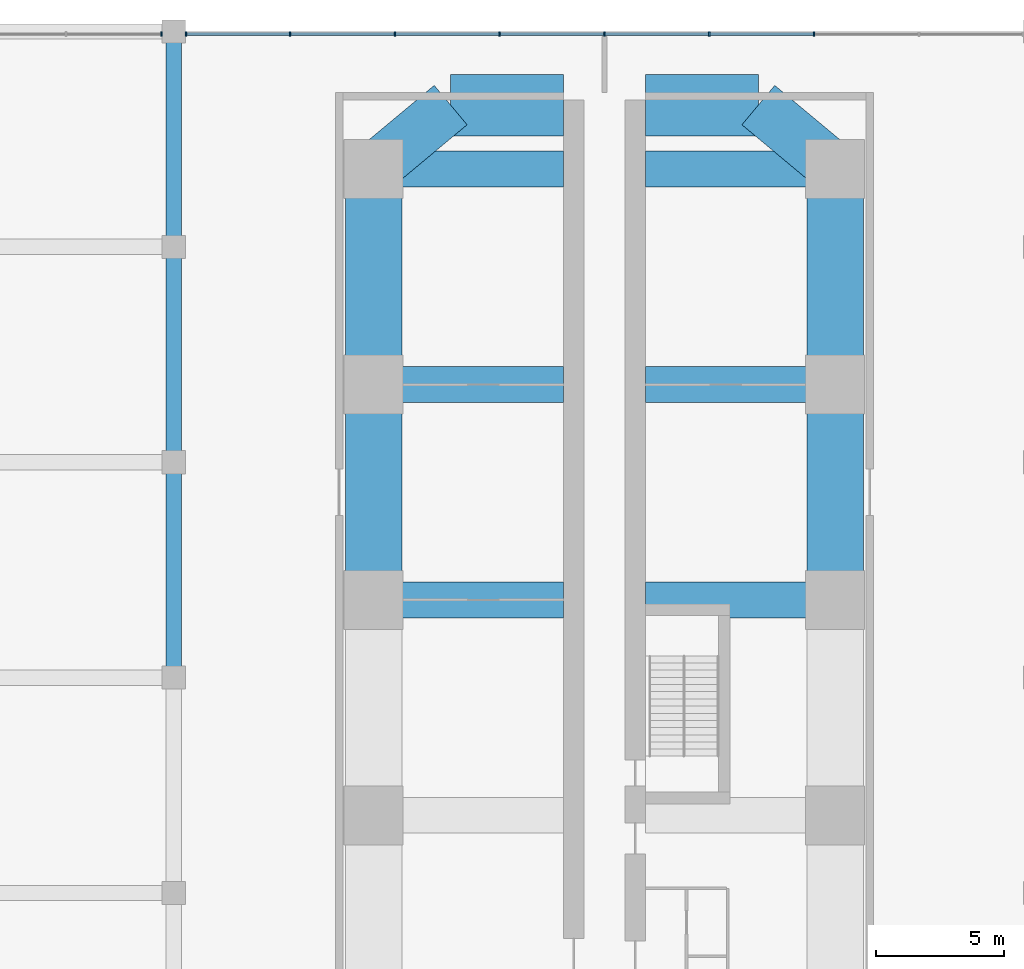
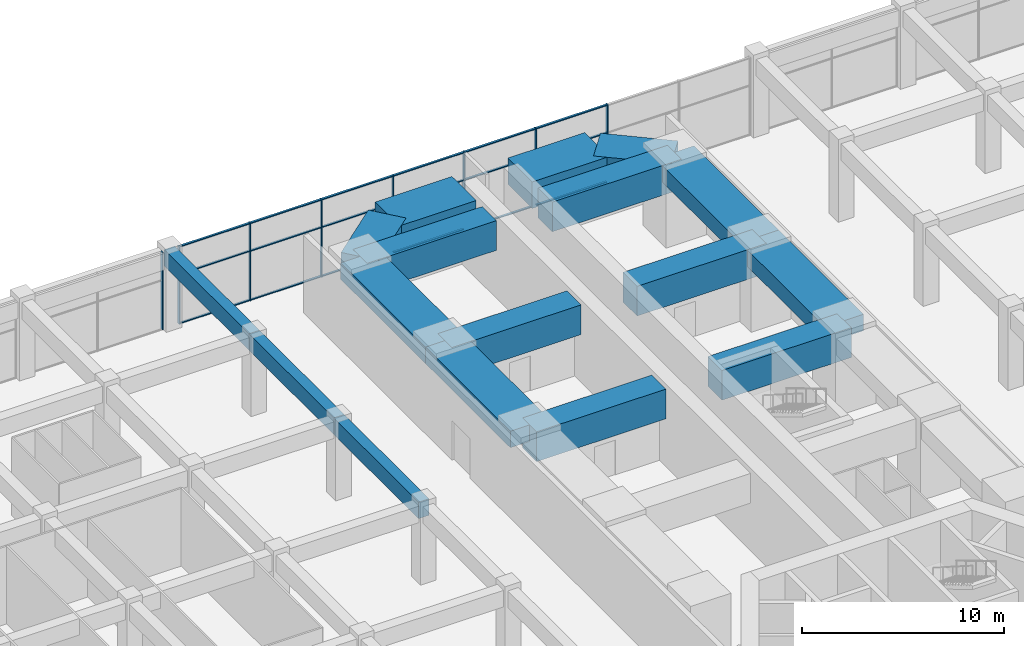
# One storey, part 19 of 36: 26 members, 17 beams, 2 elements without a shape of their own.
"""IFC4 building model written with IfcOpenShell, lengths in metres."""

from ifc_helpers import new_model, si_unit, direction, frame, origin, origin_2d, place, context, subcontext, project, spatial, rectangle, extrude, material, material_profile, profile_set, type_object, element, aggregate, save


model = new_model("IFC4")

# Units and contexts
model_context = context("Model", 3, precision=1e-05, world=origin(), true_north=direction((0.0, 1.0)))
body_context = subcontext(model_context, "Body", "Model", "MODEL_VIEW")
ifc_project = project(units=[si_unit("LENGTHUNIT", "METRE"), si_unit("AREAUNIT", "SQUARE_METRE"), si_unit("VOLUMEUNIT", "CUBIC_METRE"), si_unit("PLANEANGLEUNIT", "RADIAN"), si_unit("MASSUNIT", "GRAM", prefix="KILO")], contexts=[model_context])

# Site, building, storey
site_placement = place(None, origin())
site = spatial("IfcSite", under=ifc_project, at=site_placement, CompositionType="ELEMENT")
building_placement = place(site_placement, origin())
building = spatial("IfcBuilding", under=site, at=building_placement, Name="Impinga Residences", CompositionType="ELEMENT")
storey_placement = place(building_placement, frame((0.0, 0.0, 6.0)))
storey = spatial("IfcBuildingStorey", under=building, at=storey_placement, Name="L01", CompositionType="ELEMENT", Elevation=6.0)

# Beams
ifc_material_1 = material(Name="Concrete C60/75", Category="concrete")
ifc_material_profile_1 = material_profile(ifc_material_1, rectangle(XDim=2.0, YDim=1.60009765625, at=origin_2d()), Name="RC 2000x1600")
ifc_profile_set_1 = profile_set([ifc_material_profile_1], Name="Concrete C60/75")
beam_type_1 = type_object("IfcBeamType", Name="CB2 2000x1600 wing end cantilever beam", PredefinedType="BEAM", material=ifc_profile_set_1)
for number, where, z_axis, x_axis, name in (
    (1, (-9.0, 45.031494140625, 3.89990234375), (0.768221279597, 0.640184399664, 0.0), (-0.640184399664, 0.768221279597, 0.0), "Beam CB2 NB N5-NX level L02"),
    (2, (9.0, 45.031494140625, 3.89990234375), (-0.768221279597, 0.640184399664, 0.0), (-0.640184399664, -0.768221279597, 0.0), "Beam CB2 NE N5-NX level L02"),
):
    element("IfcBeam", number, at=place(storey_placement, frame(where, z_axis=z_axis, x_axis=x_axis)), inside=storey, type_object=beam_type_1, Name=name, PredefinedType="BEAM", context=body_context, shape_type="SweptSolid", body=[
        extrude(rectangle(XDim=2.0, YDim=1.60009765625, at=origin_2d()), origin(), (0.0, 0.0, 1.0), 3.905029296875),
    ])
ifc_material_profile_2 = material_profile(ifc_material_1, rectangle(XDim=1.39990234375, YDim=1.800048828125, at=origin_2d()), Name="RC 1400x1800")
ifc_profile_set_2 = profile_set([ifc_material_profile_2], Name="Concrete C60/75")
beam_type_2 = type_object("IfcBeamType", Name="CG4 1400x1800 cross girder on a wing bay line under the podium floors", PredefinedType="BEAM", material=ifc_profile_set_2)
for number, where, z_axis, x_axis, name in (
    (3, (-1.60009765625, 28.2314453125, 3.800048828125), (-1.0, 0.0, 0.0), (0.0, -1.0, 0.0), "Beam CG4 N3 NC/NA level L02"),
    (4, (-1.60009765625, 36.631591796875, 3.800048828125), (-1.0, 0.0, 0.0), (0.0, -1.0, 0.0), "Beam CG4 N4 NC/NA level L02"),
    (5, (-1.60009765625, 45.031494140625, 3.800048828125), (-1.0, 0.0, 0.0), (0.0, -1.0, 0.0), "Beam CG4 N5 NC/NA level L02"),
    (6, (1.60009765625, 28.2314453125, 3.800048828125), (1.0, 0.0, 0.0), (0.0, 1.0, 0.0), "Beam CG4 N3 NC/NF level L02"),
    (7, (1.60009765625, 36.631591796875, 3.800048828125), (1.0, 0.0, 0.0), (0.0, 1.0, 0.0), "Beam CG4 N4 NC/NF level L02"),
    (8, (1.60009765625, 45.031494140625, 3.800048828125), (1.0, 0.0, 0.0), (0.0, 1.0, 0.0), "Beam CG4 N5 NC/NF level L02"),
):
    element("IfcBeam", number, at=place(storey_placement, frame(where, z_axis=z_axis, x_axis=x_axis)), inside=storey, type_object=beam_type_2, Name=name, PredefinedType="BEAM", context=body_context, shape_type="SweptSolid", body=[
        extrude(rectangle(XDim=1.39990234375, YDim=1.800048828125, at=origin_2d()), origin(), (0.0, 0.0, 1.0), 7.39990234375),
    ])

# Curtain wall, member
ifc_material_2 = material(Name="Aluminium stick curtain wall", Category="aluminium")
curtain_wall_type = type_object("IfcCurtainWallType", Name="CW1 podium amenity curtain wall", PredefinedType="USERDEFINED", material=ifc_material_2)
curtain_wall_1_placement = place(storey_placement, origin())
curtain_wall_1 = element("IfcCurtainWall", 9, at=curtain_wall_1_placement, inside=storey, type_object=curtain_wall_type, Name="Curtain wall CW1 L01", ObjectType="STICK CURTAIN WALL", PredefinedType="USERDEFINED")
ifc_material_3 = material(Name="Aluminium mullion", Category="aluminium")
ifc_material_profile_3 = material_profile(ifc_material_3, rectangle(XDim=0.06005859375, YDim=0.179931640625, at=origin_2d()), Name="60x180 mullion")
ifc_profile_set_3 = profile_set([ifc_material_profile_3], Name="Aluminium mullion")
member_type_1 = type_object("IfcMemberType", Name="CW1-M mullion 60x180", PredefinedType="MULLION", material=ifc_profile_set_3)
member_1_placement = place(storey_placement, frame((-17.282958984375, 50.300048828125, 0.0), z_axis=(0.0, 0.0, 1.0), x_axis=(1.0, 0.0, 0.0)))
member_1 = element("IfcMember", 10, at=member_1_placement, type_object=member_type_1, Name="CW1 mullion 3", PredefinedType="MULLION", context=body_context, shape_type="SweptSolid", body=[
    extrude(rectangle(XDim=0.06005859375, YDim=0.179931640625, at=origin_2d()), origin(), (0.0, 0.0, 1.0), 4.699951171875),
])
aggregate(curtain_wall_1, [member_1])

# Curtain wall, members
curtain_wall_2_placement = place(storey_placement, origin())
curtain_wall_2 = element("IfcCurtainWall", 11, at=curtain_wall_2_placement, inside=storey, type_object=curtain_wall_type, Name="Curtain wall CW1 L01", ObjectType="STICK CURTAIN WALL", PredefinedType="USERDEFINED")
member_2_placement = place(storey_placement, frame((-16.31689453125, 50.300048828125, 0.0), z_axis=(0.0, 0.0, 1.0), x_axis=(1.0, 0.0, 0.0)))
member_2 = element("IfcMember", 12, at=member_2_placement, type_object=member_type_1, Name="CW1 mullion 1", PredefinedType="MULLION", context=body_context, shape_type="SweptSolid", body=[
    extrude(rectangle(XDim=0.06005859375, YDim=0.179931640625, at=origin_2d()), origin(), (0.0, 0.0, 1.0), 4.699951171875),
])
member_3_placement = place(storey_placement, frame((-12.26025390625, 50.300048828125, 0.0), z_axis=(0.0, 0.0, 1.0), x_axis=(1.0, 0.0, 0.0)))
member_3 = element("IfcMember", 13, at=member_3_placement, type_object=member_type_1, Name="CW1 mullion 2", PredefinedType="MULLION", context=body_context, shape_type="SweptSolid", body=[
    extrude(rectangle(XDim=0.06005859375, YDim=0.179931640625, at=origin_2d()), origin(), (0.0, 0.0, 1.0), 4.699951171875),
])
member_4_placement = place(storey_placement, frame((-8.173583984375, 50.300048828125, 0.0), z_axis=(0.0, 0.0, 1.0), x_axis=(1.0, 0.0, 0.0)))
member_4 = element("IfcMember", 14, at=member_4_placement, type_object=member_type_1, Name="CW1 mullion 3", PredefinedType="MULLION", context=body_context, shape_type="SweptSolid", body=[
    extrude(rectangle(XDim=0.06005859375, YDim=0.179931640625, at=origin_2d()), origin(), (0.0, 0.0, 1.0), 4.699951171875),
])
member_5_placement = place(storey_placement, frame((-4.086669921875, 50.300048828125, 0.0), z_axis=(0.0, 0.0, 1.0), x_axis=(1.0, 0.0, 0.0)))
member_5 = element("IfcMember", 15, at=member_5_placement, type_object=member_type_1, Name="CW1 mullion 4", PredefinedType="MULLION", context=body_context, shape_type="SweptSolid", body=[
    extrude(rectangle(XDim=0.06005859375, YDim=0.179931640625, at=origin_2d()), origin(), (0.0, 0.0, 1.0), 4.699951171875),
])
member_6_placement = place(storey_placement, frame((0.0, 50.300048828125, 0.0), z_axis=(0.0, 0.0, 1.0), x_axis=(1.0, 0.0, 0.0)))
member_6 = element("IfcMember", 16, at=member_6_placement, type_object=member_type_1, Name="CW1 mullion 5", PredefinedType="MULLION", context=body_context, shape_type="SweptSolid", body=[
    extrude(rectangle(XDim=0.06005859375, YDim=0.179931640625, at=origin_2d()), origin(), (0.0, 0.0, 1.0), 4.699951171875),
])
member_7_placement = place(storey_placement, frame((4.086669921875, 50.300048828125, 0.0), z_axis=(0.0, 0.0, 1.0), x_axis=(1.0, 0.0, 0.0)))
member_7 = element("IfcMember", 17, at=member_7_placement, type_object=member_type_1, Name="CW1 mullion 6", PredefinedType="MULLION", context=body_context, shape_type="SweptSolid", body=[
    extrude(rectangle(XDim=0.06005859375, YDim=0.179931640625, at=origin_2d()), origin(), (0.0, 0.0, 1.0), 4.699951171875),
])
member_8_placement = place(storey_placement, frame((8.173583984375, 50.300048828125, 0.0), z_axis=(0.0, 0.0, 1.0), x_axis=(1.0, 0.0, 0.0)))
member_8 = element("IfcMember", 18, at=member_8_placement, type_object=member_type_1, Name="CW1 mullion 7", PredefinedType="MULLION", context=body_context, shape_type="SweptSolid", body=[
    extrude(rectangle(XDim=0.06005859375, YDim=0.179931640625, at=origin_2d()), origin(), (0.0, 0.0, 1.0), 4.699951171875),
])
ifc_material_4 = material(Name="Aluminium transom", Category="aluminium")
ifc_material_profile_4 = material_profile(ifc_material_4, rectangle(XDim=0.06005859375, YDim=0.1201171875, at=origin_2d()), Name="60x120 transom")
ifc_profile_set_4 = profile_set([ifc_material_profile_4], Name="Aluminium transom")
member_type_2 = type_object("IfcMemberType", Name="CW1-T transom 60x120", PredefinedType="USERDEFINED", material=ifc_profile_set_4)
member_9_placement = place(storey_placement, frame((-16.287109375, 50.300048828125, 0.030029296875), z_axis=(1.0, 0.0, 0.0), x_axis=(0.0, 0.0, 1.0)))
member_9 = element("IfcMember", 19, at=member_9_placement, type_object=member_type_2, Name="CW1 transom 1.1", ObjectType="TRANSOM", PredefinedType="USERDEFINED", context=body_context, shape_type="SweptSolid", body=[
    extrude(rectangle(XDim=0.06005859375, YDim=0.1201171875, at=origin_2d()), origin(), (0.0, 0.0, 1.0), 3.996826171875),
])
member_10_placement = place(storey_placement, frame((-16.287109375, 50.300048828125, 3.0), z_axis=(1.0, 0.0, 0.0), x_axis=(0.0, 0.0, 1.0)))
member_10 = element("IfcMember", 20, at=member_10_placement, type_object=member_type_2, Name="CW1 transom 1.2", ObjectType="TRANSOM", PredefinedType="USERDEFINED", context=body_context, shape_type="SweptSolid", body=[
    extrude(rectangle(XDim=0.06005859375, YDim=0.1201171875, at=origin_2d()), origin(), (0.0, 0.0, 1.0), 3.996826171875),
])
member_11_placement = place(storey_placement, frame((-16.287109375, 50.300048828125, 4.669921875), z_axis=(1.0, 0.0, 0.0), x_axis=(0.0, 0.0, 1.0)))
member_11 = element("IfcMember", 21, at=member_11_placement, type_object=member_type_2, Name="CW1 transom 1.3", ObjectType="TRANSOM", PredefinedType="USERDEFINED", context=body_context, shape_type="SweptSolid", body=[
    extrude(rectangle(XDim=0.06005859375, YDim=0.1201171875, at=origin_2d()), origin(), (0.0, 0.0, 1.0), 3.996826171875),
])
member_12_placement = place(storey_placement, frame((-12.230224609375, 50.300048828125, 0.030029296875), z_axis=(1.0, 0.0, 0.0), x_axis=(0.0, 0.0, 1.0)))
member_12 = element("IfcMember", 22, at=member_12_placement, type_object=member_type_2, Name="CW1 transom 2.1", ObjectType="TRANSOM", PredefinedType="USERDEFINED", context=body_context, shape_type="SweptSolid", body=[
    extrude(rectangle(XDim=0.06005859375, YDim=0.1201171875, at=origin_2d()), origin(), (0.0, 0.0, 1.0), 4.026611328125),
])
member_13_placement = place(storey_placement, frame((-12.230224609375, 50.300048828125, 3.0), z_axis=(1.0, 0.0, 0.0), x_axis=(0.0, 0.0, 1.0)))
member_13 = element("IfcMember", 23, at=member_13_placement, type_object=member_type_2, Name="CW1 transom 2.2", ObjectType="TRANSOM", PredefinedType="USERDEFINED", context=body_context, shape_type="SweptSolid", body=[
    extrude(rectangle(XDim=0.06005859375, YDim=0.1201171875, at=origin_2d()), origin(), (0.0, 0.0, 1.0), 4.026611328125),
])
member_14_placement = place(storey_placement, frame((-12.230224609375, 50.300048828125, 4.669921875), z_axis=(1.0, 0.0, 0.0), x_axis=(0.0, 0.0, 1.0)))
member_14 = element("IfcMember", 24, at=member_14_placement, type_object=member_type_2, Name="CW1 transom 2.3", ObjectType="TRANSOM", PredefinedType="USERDEFINED", context=body_context, shape_type="SweptSolid", body=[
    extrude(rectangle(XDim=0.06005859375, YDim=0.1201171875, at=origin_2d()), origin(), (0.0, 0.0, 1.0), 4.026611328125),
])
member_15_placement = place(storey_placement, frame((-8.1435546875, 50.300048828125, 0.030029296875), z_axis=(1.0, 0.0, 0.0), x_axis=(0.0, 0.0, 1.0)))
member_15 = element("IfcMember", 25, at=member_15_placement, type_object=member_type_2, Name="CW1 transom 3.1", ObjectType="TRANSOM", PredefinedType="USERDEFINED", context=body_context, shape_type="SweptSolid", body=[
    extrude(rectangle(XDim=0.06005859375, YDim=0.1201171875, at=origin_2d()), origin(), (0.0, 0.0, 1.0), 4.02685546875),
])
member_16_placement = place(storey_placement, frame((-8.1435546875, 50.300048828125, 3.0), z_axis=(1.0, 0.0, 0.0), x_axis=(0.0, 0.0, 1.0)))
member_16 = element("IfcMember", 26, at=member_16_placement, type_object=member_type_2, Name="CW1 transom 3.2", ObjectType="TRANSOM", PredefinedType="USERDEFINED", context=body_context, shape_type="SweptSolid", body=[
    extrude(rectangle(XDim=0.06005859375, YDim=0.1201171875, at=origin_2d()), origin(), (0.0, 0.0, 1.0), 4.02685546875),
])
member_17_placement = place(storey_placement, frame((-8.1435546875, 50.300048828125, 4.669921875), z_axis=(1.0, 0.0, 0.0), x_axis=(0.0, 0.0, 1.0)))
member_17 = element("IfcMember", 27, at=member_17_placement, type_object=member_type_2, Name="CW1 transom 3.3", ObjectType="TRANSOM", PredefinedType="USERDEFINED", context=body_context, shape_type="SweptSolid", body=[
    extrude(rectangle(XDim=0.06005859375, YDim=0.1201171875, at=origin_2d()), origin(), (0.0, 0.0, 1.0), 4.02685546875),
])
member_18_placement = place(storey_placement, frame((-4.056640625, 50.300048828125, 0.030029296875), z_axis=(1.0, 0.0, 0.0), x_axis=(0.0, 0.0, 1.0)))
member_18 = element("IfcMember", 28, at=member_18_placement, type_object=member_type_2, Name="CW1 transom 4.1", ObjectType="TRANSOM", PredefinedType="USERDEFINED", context=body_context, shape_type="SweptSolid", body=[
    extrude(rectangle(XDim=0.06005859375, YDim=0.1201171875, at=origin_2d()), origin(), (0.0, 0.0, 1.0), 4.026611328125),
])
member_19_placement = place(storey_placement, frame((-4.056640625, 50.300048828125, 3.0), z_axis=(1.0, 0.0, 0.0), x_axis=(0.0, 0.0, 1.0)))
member_19 = element("IfcMember", 29, at=member_19_placement, type_object=member_type_2, Name="CW1 transom 4.2", ObjectType="TRANSOM", PredefinedType="USERDEFINED", context=body_context, shape_type="SweptSolid", body=[
    extrude(rectangle(XDim=0.06005859375, YDim=0.1201171875, at=origin_2d()), origin(), (0.0, 0.0, 1.0), 4.026611328125),
])
member_20_placement = place(storey_placement, frame((-4.056640625, 50.300048828125, 4.669921875), z_axis=(1.0, 0.0, 0.0), x_axis=(0.0, 0.0, 1.0)))
member_20 = element("IfcMember", 30, at=member_20_placement, type_object=member_type_2, Name="CW1 transom 4.3", ObjectType="TRANSOM", PredefinedType="USERDEFINED", context=body_context, shape_type="SweptSolid", body=[
    extrude(rectangle(XDim=0.06005859375, YDim=0.1201171875, at=origin_2d()), origin(), (0.0, 0.0, 1.0), 4.026611328125),
])
member_21_placement = place(storey_placement, frame((0.030029296875, 50.300048828125, 0.030029296875), z_axis=(1.0, 0.0, 0.0), x_axis=(0.0, 0.0, 1.0)))
member_21 = element("IfcMember", 31, at=member_21_placement, type_object=member_type_2, Name="CW1 transom 5.1", ObjectType="TRANSOM", PredefinedType="USERDEFINED", context=body_context, shape_type="SweptSolid", body=[
    extrude(rectangle(XDim=0.06005859375, YDim=0.1201171875, at=origin_2d()), origin(), (0.0, 0.0, 1.0), 4.026611328125),
])
member_22_placement = place(storey_placement, frame((0.030029296875, 50.300048828125, 3.0), z_axis=(1.0, 0.0, 0.0), x_axis=(0.0, 0.0, 1.0)))
member_22 = element("IfcMember", 32, at=member_22_placement, type_object=member_type_2, Name="CW1 transom 5.2", ObjectType="TRANSOM", PredefinedType="USERDEFINED", context=body_context, shape_type="SweptSolid", body=[
    extrude(rectangle(XDim=0.06005859375, YDim=0.1201171875, at=origin_2d()), origin(), (0.0, 0.0, 1.0), 4.026611328125),
])
member_23_placement = place(storey_placement, frame((0.030029296875, 50.300048828125, 4.669921875), z_axis=(1.0, 0.0, 0.0), x_axis=(0.0, 0.0, 1.0)))
member_23 = element("IfcMember", 33, at=member_23_placement, type_object=member_type_2, Name="CW1 transom 5.3", ObjectType="TRANSOM", PredefinedType="USERDEFINED", context=body_context, shape_type="SweptSolid", body=[
    extrude(rectangle(XDim=0.06005859375, YDim=0.1201171875, at=origin_2d()), origin(), (0.0, 0.0, 1.0), 4.026611328125),
])
member_24_placement = place(storey_placement, frame((4.11669921875, 50.300048828125, 0.030029296875), z_axis=(1.0, 0.0, 0.0), x_axis=(0.0, 0.0, 1.0)))
member_24 = element("IfcMember", 34, at=member_24_placement, type_object=member_type_2, Name="CW1 transom 6.1", ObjectType="TRANSOM", PredefinedType="USERDEFINED", context=body_context, shape_type="SweptSolid", body=[
    extrude(rectangle(XDim=0.06005859375, YDim=0.1201171875, at=origin_2d()), origin(), (0.0, 0.0, 1.0), 4.02685546875),
])
member_25_placement = place(storey_placement, frame((4.11669921875, 50.300048828125, 3.0), z_axis=(1.0, 0.0, 0.0), x_axis=(0.0, 0.0, 1.0)))
member_25 = element("IfcMember", 35, at=member_25_placement, type_object=member_type_2, Name="CW1 transom 6.2", ObjectType="TRANSOM", PredefinedType="USERDEFINED", context=body_context, shape_type="SweptSolid", body=[
    extrude(rectangle(XDim=0.06005859375, YDim=0.1201171875, at=origin_2d()), origin(), (0.0, 0.0, 1.0), 4.02685546875),
])
member_26_placement = place(storey_placement, frame((4.11669921875, 50.300048828125, 4.669921875), z_axis=(1.0, 0.0, 0.0), x_axis=(0.0, 0.0, 1.0)))
member_26 = element("IfcMember", 36, at=member_26_placement, type_object=member_type_2, Name="CW1 transom 6.3", ObjectType="TRANSOM", PredefinedType="USERDEFINED", context=body_context, shape_type="SweptSolid", body=[
    extrude(rectangle(XDim=0.06005859375, YDim=0.1201171875, at=origin_2d()), origin(), (0.0, 0.0, 1.0), 4.02685546875),
])
aggregate(curtain_wall_2, [member_2, member_3, member_4, member_5, member_6, member_7, member_8, member_9, member_10, member_11, member_12, member_13, member_14, member_15, member_16, member_17, member_18, member_19, member_20, member_21, member_22, member_23, member_24, member_25, member_26])

# Beams
ifc_material_profile_5 = material_profile(ifc_material_1, rectangle(XDim=2.39990234375, YDim=1.60009765625, at=origin_2d()), Name="RC 2400x1600")
ifc_profile_set_5 = profile_set([ifc_material_profile_5], Name="Concrete C60/75")
beam_type_3 = type_object("IfcBeamType", Name="EB2 2400x1600 wing end beam", PredefinedType="BEAM", material=ifc_profile_set_5)
for number, where, z_axis, x_axis, name in (
    (37, (-6.0, 47.531494140625, 3.89990234375), (1.0, 0.0, 0.0), (0.0, 1.0, 0.0), "Beam EB2 NX4 level L02"),
    (38, (1.60009765625, 47.531494140625, 3.89990234375), (1.0, 0.0, 0.0), (0.0, 1.0, 0.0), "Beam EB2 NX4 level L02"),
):
    element("IfcBeam", number, at=place(storey_placement, frame(where, z_axis=z_axis, x_axis=x_axis)), inside=storey, type_object=beam_type_3, Name=name, PredefinedType="BEAM", context=body_context, shape_type="SweptSolid", body=[
        extrude(rectangle(XDim=2.39990234375, YDim=1.60009765625, at=origin_2d()), origin(), (0.0, 0.0, 1.0), 4.39990234375),
    ])
ifc_material_profile_6 = material_profile(ifc_material_1, rectangle(XDim=0.60009765625, YDim=1.0, at=origin_2d()), Name="RC 600x1000")
ifc_profile_set_6 = profile_set([ifc_material_profile_6], Name="Concrete C60/75")
beam_type_4 = type_object("IfcBeamType", Name="PB2 600x1000 podium beam", PredefinedType="BEAM", material=ifc_profile_set_6)
beam_1_placement = place(storey_placement, frame((-16.800048828125, 25.199951171875, 4.199951171875), z_axis=(0.0, 1.0, 0.0), x_axis=(-1.0, 0.0, 0.0)))
element("IfcBeam", 39, at=beam_1_placement, inside=storey, type_object=beam_type_4, Name="Beam PB2 5/J-K level L02", PredefinedType="BEAM", context=body_context, shape_type="SweptSolid", body=[
    extrude(rectangle(XDim=0.60009765625, YDim=1.0, at=origin_2d()), origin(), (0.0, 0.0, 1.0), 8.400146484375),
])
for number, where, z_axis, x_axis, name in (
    (40, (-16.800048828125, 33.60009765625, 4.199951171875), (0.0, 1.0, 0.0), (-1.0, 0.0, 0.0), "Beam PB2 5/K-L level L02"),
    (41, (-16.800048828125, 42.0, 4.199951171875), (0.0, 1.0, 0.0), (-1.0, 0.0, 0.0), "Beam PB2 5/L-M level L02"),
):
    element("IfcBeam", number, at=place(storey_placement, frame(where, z_axis=z_axis, x_axis=x_axis)), inside=storey, type_object=beam_type_4, Name=name, PredefinedType="BEAM", context=body_context, shape_type="SweptSolid", body=[
        extrude(rectangle(XDim=0.60009765625, YDim=1.0, at=origin_2d()), origin(), (0.0, 0.0, 1.0), 8.39990234375),
    ])
ifc_material_profile_7 = material_profile(ifc_material_1, rectangle(XDim=2.199951171875, YDim=1.0, at=origin_2d()), Name="RC 2200x1000")
ifc_profile_set_7 = profile_set([ifc_material_profile_7], Name="Concrete C60/75")
beam_type_5 = type_object("IfcBeamType", Name="PB3 2200x1000 podium band beam", PredefinedType="BEAM", material=ifc_profile_set_7)
beam_2_placement = place(storey_placement, frame((-9.0, 28.2314453125, 4.199951171875), z_axis=(0.0, 1.0, 0.0), x_axis=(-1.0, 0.0, 0.0)))
element("IfcBeam", 42, at=beam_2_placement, inside=storey, type_object=beam_type_5, Name="Beam PB3 NA N3-N4 level L02", PredefinedType="BEAM", context=body_context, shape_type="SweptSolid", body=[
    extrude(rectangle(XDim=2.199951171875, YDim=1.0, at=origin_2d()), origin(), (0.0, 0.0, 1.0), 8.400146484375),
])
beam_3_placement = place(storey_placement, frame((-9.0, 36.631591796875, 4.199951171875), z_axis=(0.0, 1.0, 0.0), x_axis=(-1.0, 0.0, 0.0)))
element("IfcBeam", 43, at=beam_3_placement, inside=storey, type_object=beam_type_5, Name="Beam PB3 NA N4-N5 level L02", PredefinedType="BEAM", context=body_context, shape_type="SweptSolid", body=[
    extrude(rectangle(XDim=2.199951171875, YDim=1.0, at=origin_2d()), origin(), (0.0, 0.0, 1.0), 8.39990234375),
])
beam_4_placement = place(storey_placement, frame((9.0, 28.2314453125, 4.199951171875), z_axis=(0.0, 1.0, 0.0), x_axis=(-1.0, 0.0, 0.0)))
element("IfcBeam", 44, at=beam_4_placement, inside=storey, type_object=beam_type_5, Name="Beam PB3 NF N3-N4 level L02", PredefinedType="BEAM", context=body_context, shape_type="SweptSolid", body=[
    extrude(rectangle(XDim=2.199951171875, YDim=1.0, at=origin_2d()), origin(), (0.0, 0.0, 1.0), 8.400146484375),
])
beam_5_placement = place(storey_placement, frame((9.0, 36.631591796875, 4.199951171875), z_axis=(0.0, 1.0, 0.0), x_axis=(-1.0, 0.0, 0.0)))
element("IfcBeam", 45, at=beam_5_placement, inside=storey, type_object=beam_type_5, Name="Beam PB3 NF N4-N5 level L02", PredefinedType="BEAM", context=body_context, shape_type="SweptSolid", body=[
    extrude(rectangle(XDim=2.199951171875, YDim=1.0, at=origin_2d()), origin(), (0.0, 0.0, 1.0), 8.39990234375),
])

save(model, "model.ifc")
